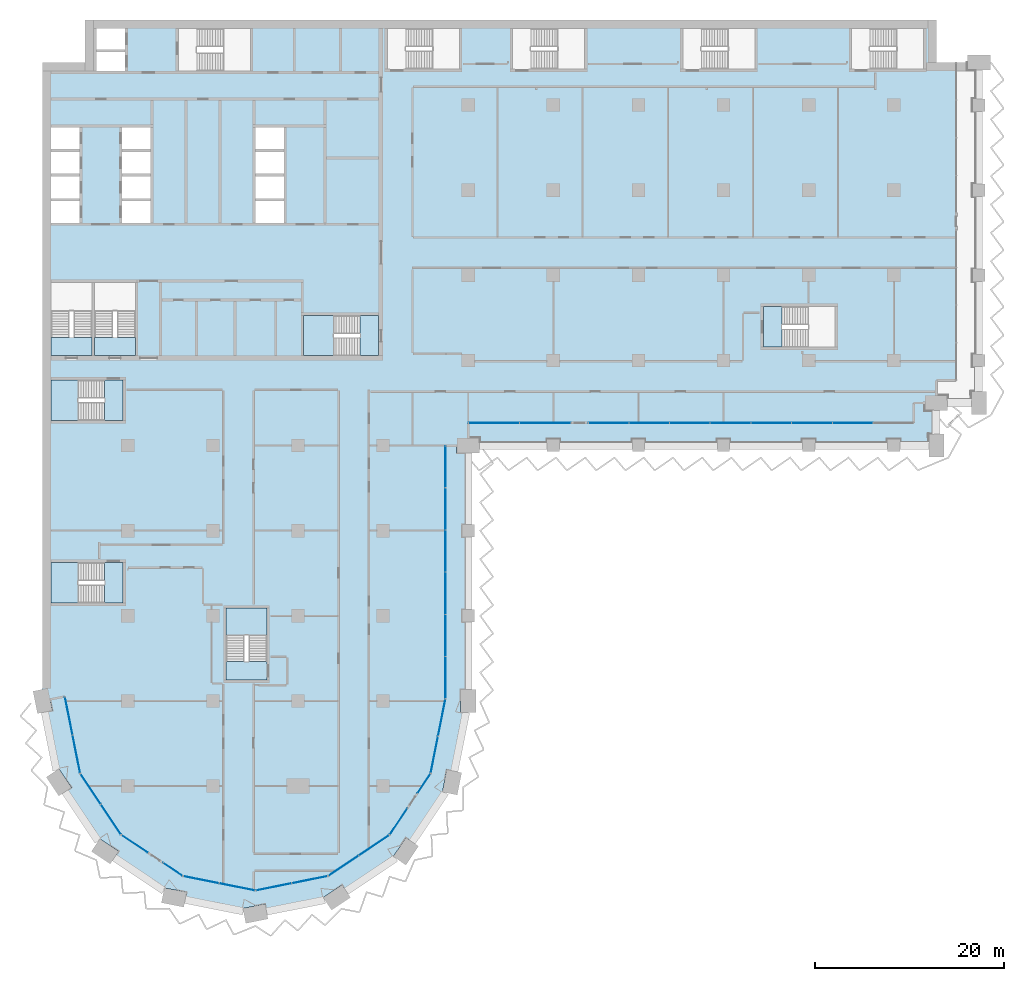
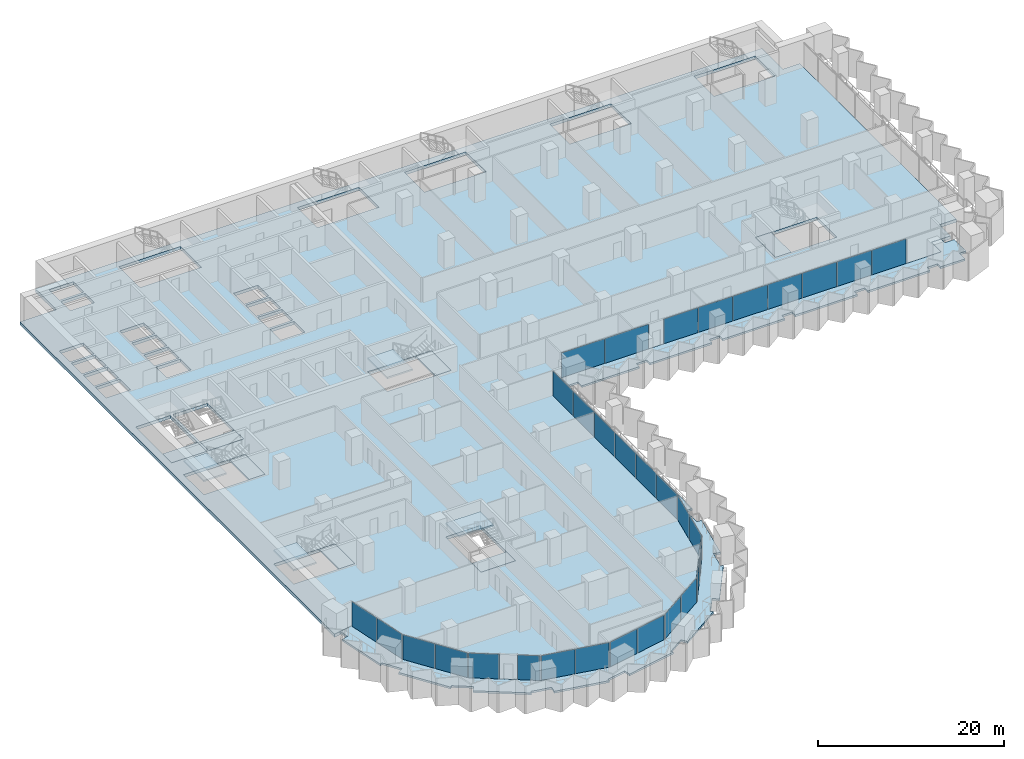
# One storey, part 8 of 29: 31 plates, 14 slabs, 17 elements without a shape of their own.
"""IFC4 building model written with IfcOpenShell, lengths in metres."""

from ifc_helpers import new_model, si_unit, direction, frame, origin, origin_2d, place, context, subcontext, project, spatial, polyline, rectangle, outline, extrude, material, layer, layer_set, type_object, element, aggregate, save


model = new_model("IFC4")

# Units and contexts
model_context = context("Model", 3, precision=1e-05, world=origin(), true_north=direction((0.0, 1.0)))
body_context = subcontext(model_context, "Body", "Model", "MODEL_VIEW")
ifc_project = project(units=[si_unit("LENGTHUNIT", "METRE"), si_unit("AREAUNIT", "SQUARE_METRE"), si_unit("VOLUMEUNIT", "CUBIC_METRE"), si_unit("PLANEANGLEUNIT", "RADIAN"), si_unit("MASSUNIT", "GRAM", prefix="KILO")], contexts=[model_context])

# Site, building, storey
site_placement = place(None, origin())
site = spatial("IfcSite", under=ifc_project, at=site_placement, CompositionType="ELEMENT")
building_placement = place(site_placement, origin())
building = spatial("IfcBuilding", under=site, at=building_placement, Name="Hunhe Ridgeline Campus", CompositionType="ELEMENT")
storey_placement = place(building_placement, frame((0.0, 0.0, 54.300048828125)))
storey = spatial("IfcBuildingStorey", under=building, at=storey_placement, Name="L12", CompositionType="ELEMENT", Elevation=54.300048828125)

# Curtain wall, plates
ifc_material_1 = material(Name="Aluminium 6063", Category="aluminium")
curtain_wall_type_1 = type_object("IfcCurtainWallType", Name="Curtain wall CW-5", PredefinedType="NOTDEFINED", material=ifc_material_1)
curtain_wall_1_placement = place(storey_placement, origin())
curtain_wall_1 = element("IfcCurtainWall", 1, at=curtain_wall_1_placement, inside=storey, type_object=curtain_wall_type_1, Name="Curtain wall 01", PredefinedType="NOTDEFINED")
ifc_material_2 = material(Name="Low-e laminated glass", Category="glass")
ifc_layer_1 = layer(ifc_material_2, 0.028076171875)
ifc_layer_set_1 = layer_set([ifc_layer_1], Name="Curtain wall glass panel 28 low-e laminated")
plate_type = type_object("IfcPlateType", Name="Curtain wall glass panel 28 low-e laminated", PredefinedType="CURTAIN_PANEL", material=ifc_layer_set_1)
plate_1_placement = place(storey_placement, frame((2.76318359375, 25.416015625, 0.0), z_axis=(0.0, 0.0, 1.0), x_axis=(0.195095347137, -0.980784280831, 0.0)))
plate_1 = element("IfcPlate", 2, at=plate_1_placement, type_object=plate_type, Name="CW-5 panel 1", PredefinedType="CURTAIN_PANEL", context=body_context, shape_type="SweptSolid", body=[
    extrude(rectangle(XDim=4.0458984375, YDim=0.028076171875, at=origin_2d()), origin(), (0.0, 0.0, 1.0), 3.22998046875),
])
plate_2_placement = place(storey_placement, frame((3.566162109375, 21.379150390625, 0.0), z_axis=(0.0, 0.0, 1.0), x_axis=(0.195095347137, -0.980784280831, 0.0)))
plate_2 = element("IfcPlate", 3, at=plate_2_placement, type_object=plate_type, Name="CW-5 panel 2", PredefinedType="CURTAIN_PANEL", context=body_context, shape_type="SweptSolid", body=[
    extrude(rectangle(XDim=4.0458984375, YDim=0.028076171875, at=origin_2d()), origin(), (0.0, 0.0, 1.0), 3.22998046875),
])
aggregate(curtain_wall_1, [plate_1, plate_2])

curtain_wall_2_placement = place(storey_placement, origin())
curtain_wall_2 = element("IfcCurtainWall", 4, at=curtain_wall_2_placement, inside=storey, type_object=curtain_wall_type_1, Name="Curtain wall 02", PredefinedType="NOTDEFINED")
plate_3_placement = place(storey_placement, frame((5.07080078125, 17.685546875, 0.0), z_axis=(0.0, 0.0, 1.0), x_axis=(0.555570274596, -0.831469584522, 0.0)))
plate_3 = element("IfcPlate", 5, at=plate_3_placement, type_object=plate_type, Name="CW-5 panel 1", PredefinedType="CURTAIN_PANEL", context=body_context, shape_type="SweptSolid", body=[
    extrude(rectangle(XDim=3.806884765625, YDim=0.028076171875, at=origin_2d()), origin(), (0.0, 0.0, 1.0), 3.22998046875),
])
plate_4_placement = place(storey_placement, frame((7.224609375, 14.4619140625, 0.0), z_axis=(0.0, 0.0, 1.0), x_axis=(0.555570274596, -0.831469584522, 0.0)))
plate_4 = element("IfcPlate", 6, at=plate_4_placement, type_object=plate_type, Name="CW-5 panel 2", PredefinedType="CURTAIN_PANEL", context=body_context, shape_type="SweptSolid", body=[
    extrude(rectangle(XDim=3.806884765625, YDim=0.028076171875, at=origin_2d()), origin(), (0.0, 0.0, 1.0), 3.22998046875),
])
aggregate(curtain_wall_2, [plate_3, plate_4])

# Curtain wall, plate
curtain_wall_3_placement = place(storey_placement, origin())
curtain_wall_3 = element("IfcCurtainWall", 7, at=curtain_wall_3_placement, inside=storey, type_object=curtain_wall_type_1, Name="Curtain wall 03", PredefinedType="NOTDEFINED")
plate_5_placement = place(storey_placement, frame((9.76025390625, 11.859375, 0.0), z_axis=(0.0, 0.0, 1.0), x_axis=(0.831469595944, -0.555570257501, 0.0)))
plate_5 = element("IfcPlate", 8, at=plate_5_placement, type_object=plate_type, Name="CW-5 panel 1", PredefinedType="CURTAIN_PANEL", context=body_context, shape_type="SweptSolid", body=[
    extrude(rectangle(XDim=3.322021484375, YDim=0.028076171875, at=origin_2d()), origin(), (0.0, 0.0, 1.0), 3.22998046875),
])
aggregate(curtain_wall_3, [plate_5])

curtain_wall_4_placement = place(storey_placement, origin())
curtain_wall_4 = element("IfcCurtainWall", 9, at=curtain_wall_4_placement, inside=storey, type_object=curtain_wall_type_1, Name="Curtain wall 04", PredefinedType="NOTDEFINED")
plate_6_placement = place(storey_placement, frame((13.761474609375, 9.18603515625, 0.0), z_axis=(0.0, 0.0, 1.0), x_axis=(0.831469510353, -0.555570385598, 0.0)))
plate_6 = element("IfcPlate", 10, at=plate_6_placement, type_object=plate_type, Name="CW-5 panel 1", PredefinedType="CURTAIN_PANEL", context=body_context, shape_type="SweptSolid", body=[
    extrude(rectangle(XDim=2.421875, YDim=0.028076171875, at=origin_2d()), origin(), (0.0, 0.0, 1.0), 3.22998046875),
])
aggregate(curtain_wall_4, [plate_6])

# Curtain wall, plates
curtain_wall_5_placement = place(storey_placement, origin())
curtain_wall_5 = element("IfcCurtainWall", 11, at=curtain_wall_5_placement, inside=storey, type_object=curtain_wall_type_1, Name="Curtain wall 05", PredefinedType="NOTDEFINED")
plate_7_placement = place(storey_placement, frame((16.761962890625, 8.08935546875, 0.0), z_axis=(0.0, 0.0, 1.0), x_axis=(0.980785275326, -0.195090347539, 0.0)))
plate_7 = element("IfcPlate", 12, at=plate_7_placement, type_object=plate_type, Name="CW-5 panel 1", PredefinedType="CURTAIN_PANEL", context=body_context, shape_type="SweptSolid", body=[
    extrude(rectangle(XDim=3.806884765625, YDim=0.028076171875, at=origin_2d()), origin(), (0.0, 0.0, 1.0), 3.22998046875),
])
plate_8_placement = place(storey_placement, frame((20.564453125, 7.3330078125, 0.0), z_axis=(0.0, 0.0, 1.0), x_axis=(0.980785275326, -0.195090347539, 0.0)))
plate_8 = element("IfcPlate", 13, at=plate_8_placement, type_object=plate_type, Name="CW-5 panel 2", PredefinedType="CURTAIN_PANEL", context=body_context, shape_type="SweptSolid", body=[
    extrude(rectangle(XDim=3.806884765625, YDim=0.028076171875, at=origin_2d()), origin(), (0.0, 0.0, 1.0), 3.22998046875),
])
aggregate(curtain_wall_5, [plate_7, plate_8])

curtain_wall_6_placement = place(storey_placement, origin())
curtain_wall_6 = element("IfcCurtainWall", 14, at=curtain_wall_6_placement, inside=storey, type_object=curtain_wall_type_1, Name="Curtain wall 06", PredefinedType="NOTDEFINED")
plate_9_placement = place(storey_placement, frame((24.435546875, 7.3330078125, 0.0), z_axis=(0.0, 0.0, 1.0), x_axis=(0.980785275326, 0.195090347539, 0.0)))
plate_9 = element("IfcPlate", 15, at=plate_9_placement, type_object=plate_type, Name="CW-5 panel 1", PredefinedType="CURTAIN_PANEL", context=body_context, shape_type="SweptSolid", body=[
    extrude(rectangle(XDim=3.806884765625, YDim=0.028076171875, at=origin_2d()), origin(), (0.0, 0.0, 1.0), 3.22998046875),
])
plate_10_placement = place(storey_placement, frame((28.238037109375, 8.08935546875, 0.0), z_axis=(0.0, 0.0, 1.0), x_axis=(0.980785275326, 0.195090347539, 0.0)))
plate_10 = element("IfcPlate", 16, at=plate_10_placement, type_object=plate_type, Name="CW-5 panel 2", PredefinedType="CURTAIN_PANEL", context=body_context, shape_type="SweptSolid", body=[
    extrude(rectangle(XDim=3.806884765625, YDim=0.028076171875, at=origin_2d()), origin(), (0.0, 0.0, 1.0), 3.22998046875),
])
aggregate(curtain_wall_6, [plate_9, plate_10])

curtain_wall_7_placement = place(storey_placement, origin())
curtain_wall_7 = element("IfcCurtainWall", 17, at=curtain_wall_7_placement, inside=storey, type_object=curtain_wall_type_1, Name="Curtain wall 07", PredefinedType="NOTDEFINED")
plate_11_placement = place(storey_placement, frame((31.814453125, 9.57080078125, 0.0), z_axis=(0.0, 0.0, 1.0), x_axis=(0.831469584522, 0.555570274596, 0.0)))
plate_11 = element("IfcPlate", 18, at=plate_11_placement, type_object=plate_type, Name="CW-5 panel 1", PredefinedType="CURTAIN_PANEL", context=body_context, shape_type="SweptSolid", body=[
    extrude(rectangle(XDim=3.806884765625, YDim=0.028076171875, at=origin_2d()), origin(), (0.0, 0.0, 1.0), 3.22998046875),
])
plate_12_placement = place(storey_placement, frame((35.0380859375, 11.724609375, 0.0), z_axis=(0.0, 0.0, 1.0), x_axis=(0.831469584522, 0.555570274596, 0.0)))
plate_12 = element("IfcPlate", 19, at=plate_12_placement, type_object=plate_type, Name="CW-5 panel 2", PredefinedType="CURTAIN_PANEL", context=body_context, shape_type="SweptSolid", body=[
    extrude(rectangle(XDim=3.806884765625, YDim=0.028076171875, at=origin_2d()), origin(), (0.0, 0.0, 1.0), 3.22998046875),
])
aggregate(curtain_wall_7, [plate_11, plate_12])

# Curtain wall, plate
curtain_wall_8_placement = place(storey_placement, origin())
curtain_wall_8 = element("IfcCurtainWall", 20, at=curtain_wall_8_placement, inside=storey, type_object=curtain_wall_type_1, Name="Curtain wall 08", PredefinedType="NOTDEFINED")
plate_13_placement = place(storey_placement, frame((37.640625, 14.26025390625, 0.0), z_axis=(0.0, 0.0, 1.0), x_axis=(0.555570257501, 0.831469595944, 0.0)))
plate_13 = element("IfcPlate", 21, at=plate_13_placement, type_object=plate_type, Name="CW-5 panel 1", PredefinedType="CURTAIN_PANEL", context=body_context, shape_type="SweptSolid", body=[
    extrude(rectangle(XDim=3.322021484375, YDim=0.028076171875, at=origin_2d()), origin(), (0.0, 0.0, 1.0), 3.22998046875),
])
aggregate(curtain_wall_8, [plate_13])

curtain_wall_9_placement = place(storey_placement, origin())
curtain_wall_9 = element("IfcCurtainWall", 22, at=curtain_wall_9_placement, inside=storey, type_object=curtain_wall_type_1, Name="Curtain wall 09", PredefinedType="NOTDEFINED")
plate_14_placement = place(storey_placement, frame((40.31396484375, 18.261474609375, 0.0), z_axis=(0.0, 0.0, 1.0), x_axis=(0.555570385598, 0.831469510353, 0.0)))
plate_14 = element("IfcPlate", 23, at=plate_14_placement, type_object=plate_type, Name="CW-5 panel 1", PredefinedType="CURTAIN_PANEL", context=body_context, shape_type="SweptSolid", body=[
    extrude(rectangle(XDim=2.421875, YDim=0.028076171875, at=origin_2d()), origin(), (0.0, 0.0, 1.0), 3.22998046875),
])
aggregate(curtain_wall_9, [plate_14])

# Curtain wall, plates
curtain_wall_10_placement = place(storey_placement, origin())
curtain_wall_10 = element("IfcCurtainWall", 24, at=curtain_wall_10_placement, inside=storey, type_object=curtain_wall_type_1, Name="Curtain wall 10", PredefinedType="NOTDEFINED")
plate_15_placement = place(storey_placement, frame((41.42236328125, 21.321044921875, 0.0), z_axis=(0.0, 0.0, 1.0), x_axis=(0.195090299215, 0.980785284939, 0.0)))
plate_15 = element("IfcPlate", 25, at=plate_15_placement, type_object=plate_type, Name="CW-5 panel 1", PredefinedType="CURTAIN_PANEL", context=body_context, shape_type="SweptSolid", body=[
    extrude(rectangle(XDim=3.927490234375, YDim=0.028076171875, at=origin_2d()), origin(), (0.0, 0.0, 1.0), 3.22998046875),
])
plate_16_placement = place(storey_placement, frame((42.2021484375, 25.24169921875, 0.0), z_axis=(0.0, 0.0, 1.0), x_axis=(0.195090299215, 0.980785284939, 0.0)))
plate_16 = element("IfcPlate", 26, at=plate_16_placement, type_object=plate_type, Name="CW-5 panel 2", PredefinedType="CURTAIN_PANEL", context=body_context, shape_type="SweptSolid", body=[
    extrude(rectangle(XDim=3.927490234375, YDim=0.028076171875, at=origin_2d()), origin(), (0.0, 0.0, 1.0), 3.22998046875),
])
aggregate(curtain_wall_10, [plate_15, plate_16])

curtain_wall_type_2 = type_object("IfcCurtainWallType", Name="Curtain wall CW-1", PredefinedType="NOTDEFINED", material=ifc_material_1)
curtain_wall_11_placement = place(storey_placement, origin())
curtain_wall_11 = element("IfcCurtainWall", 27, at=curtain_wall_11_placement, inside=storey, type_object=curtain_wall_type_2, Name="Curtain wall 11", PredefinedType="NOTDEFINED")
plate_17_placement = place(storey_placement, frame((42.59912109375, 29.481689453125, 0.0), z_axis=(0.0, 0.0, 1.0), x_axis=(1.8682e-07, 1.0, 0.0)))
plate_17 = element("IfcPlate", 28, at=plate_17_placement, type_object=plate_type, Name="CW-1 panel 1", PredefinedType="CURTAIN_PANEL", context=body_context, shape_type="SweptSolid", body=[
    extrude(rectangle(XDim=4.37060546875, YDim=0.028076171875, at=origin_2d()), origin(), (0.0, 0.0, 1.0), 3.239990234375),
])
plate_18_placement = place(storey_placement, frame((42.59912109375, 33.927490234375, 0.0), z_axis=(0.0, 0.0, 1.0), x_axis=(1.8682e-07, 1.0, 0.0)))
plate_18 = element("IfcPlate", 29, at=plate_18_placement, type_object=plate_type, Name="CW-1 panel 2", PredefinedType="CURTAIN_PANEL", context=body_context, shape_type="SweptSolid", body=[
    extrude(rectangle(XDim=4.400634765625, YDim=0.028076171875, at=origin_2d()), origin(), (0.0, 0.0, 1.0), 3.239990234375),
])
plate_19_placement = place(storey_placement, frame((42.59912109375, 38.387939453125, 0.0), z_axis=(0.0, 0.0, 1.0), x_axis=(1.8682e-07, 1.0, 0.0)))
plate_19 = element("IfcPlate", 30, at=plate_19_placement, type_object=plate_type, Name="CW-1 panel 3", PredefinedType="CURTAIN_PANEL", context=body_context, shape_type="SweptSolid", body=[
    extrude(rectangle(XDim=4.400634765625, YDim=0.028076171875, at=origin_2d()), origin(), (0.0, 0.0, 1.0), 3.239990234375),
])
plate_20_placement = place(storey_placement, frame((42.59912109375, 42.8486328125, 0.0), z_axis=(0.0, 0.0, 1.0), x_axis=(1.8682e-07, 1.0, 0.0)))
plate_20 = element("IfcPlate", 31, at=plate_20_placement, type_object=plate_type, Name="CW-1 panel 4", PredefinedType="CURTAIN_PANEL", context=body_context, shape_type="SweptSolid", body=[
    extrude(rectangle(XDim=4.400634765625, YDim=0.028076171875, at=origin_2d()), origin(), (0.0, 0.0, 1.0), 3.239990234375),
])
plate_21_placement = place(storey_placement, frame((42.59912109375, 47.30908203125, 0.0), z_axis=(0.0, 0.0, 1.0), x_axis=(1.8682e-07, 1.0, 0.0)))
plate_21 = element("IfcPlate", 32, at=plate_21_placement, type_object=plate_type, Name="CW-1 panel 5", PredefinedType="CURTAIN_PANEL", context=body_context, shape_type="SweptSolid", body=[
    extrude(rectangle(XDim=4.400634765625, YDim=0.028076171875, at=origin_2d()), origin(), (0.0, 0.0, 1.0), 3.239990234375),
])
plate_22_placement = place(storey_placement, frame((42.59912109375, 51.7548828125, 0.0), z_axis=(0.0, 0.0, 1.0), x_axis=(1.8682e-07, 1.0, 0.0)))
plate_22 = element("IfcPlate", 33, at=plate_22_placement, type_object=plate_type, Name="CW-1 panel 6", PredefinedType="CURTAIN_PANEL", context=body_context, shape_type="SweptSolid", body=[
    extrude(rectangle(XDim=4.37060546875, YDim=0.028076171875, at=origin_2d()), origin(), (0.0, 0.0, 1.0), 3.239990234375),
])
aggregate(curtain_wall_11, [plate_17, plate_18, plate_19, plate_20, plate_21, plate_22])

curtain_wall_12_placement = place(storey_placement, origin())
curtain_wall_12 = element("IfcCurtainWall", 34, at=curtain_wall_12_placement, inside=storey, type_object=curtain_wall_type_2, Name="Curtain wall 12", PredefinedType="NOTDEFINED")
plate_23_placement = place(storey_placement, frame((47.733154296875, 56.40087890625, 0.0), z_axis=(0.0, 0.0, 1.0), x_axis=(0.999999999994, 3.58625e-06, 0.0)))
plate_23 = element("IfcPlate", 35, at=plate_23_placement, type_object=plate_type, Name="CW-1 panel 1", PredefinedType="CURTAIN_PANEL", context=body_context, shape_type="SweptSolid", body=[
    extrude(rectangle(XDim=5.347412109375, YDim=0.028076171875, at=origin_2d()), origin(), (0.0, 0.0, 1.0), 3.239990234375),
])
plate_24_placement = place(storey_placement, frame((53.140625, 56.40087890625, 0.0), z_axis=(0.0, 0.0, 1.0), x_axis=(0.999999999994, 3.58625e-06, 0.0)))
plate_24 = element("IfcPlate", 36, at=plate_24_placement, type_object=plate_type, Name="CW-1 panel 2", PredefinedType="CURTAIN_PANEL", context=body_context, shape_type="SweptSolid", body=[
    extrude(rectangle(XDim=5.347412109375, YDim=0.028076171875, at=origin_2d()), origin(), (0.0, 0.0, 1.0), 3.239990234375),
])
aggregate(curtain_wall_12, [plate_23, plate_24])

curtain_wall_13_placement = place(storey_placement, origin())
curtain_wall_13 = element("IfcCurtainWall", 37, at=curtain_wall_13_placement, inside=storey, type_object=curtain_wall_type_2, Name="Curtain wall 13", PredefinedType="NOTDEFINED")
plate_25_placement = place(storey_placement, frame((59.8408203125, 56.40087890625, 0.0), z_axis=(0.0, 0.0, 1.0), x_axis=(0.999999999994, 3.602063e-06, 0.0)))
plate_25 = element("IfcPlate", 38, at=plate_25_placement, type_object=plate_type, Name="CW-1 panel 1", PredefinedType="CURTAIN_PANEL", context=body_context, shape_type="SweptSolid", body=[
    extrude(rectangle(XDim=4.213134765625, YDim=0.028076171875, at=origin_2d()), origin(), (0.0, 0.0, 1.0), 3.239990234375),
])
plate_26_placement = place(storey_placement, frame((64.12890625, 56.40087890625, 0.0), z_axis=(0.0, 0.0, 1.0), x_axis=(0.999999999994, 3.602063e-06, 0.0)))
plate_26 = element("IfcPlate", 39, at=plate_26_placement, type_object=plate_type, Name="CW-1 panel 2", PredefinedType="CURTAIN_PANEL", context=body_context, shape_type="SweptSolid", body=[
    extrude(rectangle(XDim=4.2431640625, YDim=0.028076171875, at=origin_2d()), origin(), (0.0, 0.0, 1.0), 3.239990234375),
])
plate_27_placement = place(storey_placement, frame((68.43212890625, 56.40087890625, 0.0), z_axis=(0.0, 0.0, 1.0), x_axis=(0.999999999994, 3.602063e-06, 0.0)))
plate_27 = element("IfcPlate", 40, at=plate_27_placement, type_object=plate_type, Name="CW-1 panel 3", PredefinedType="CURTAIN_PANEL", context=body_context, shape_type="SweptSolid", body=[
    extrude(rectangle(XDim=4.2431640625, YDim=0.028076171875, at=origin_2d()), origin(), (0.0, 0.0, 1.0), 3.239990234375),
])
plate_28_placement = place(storey_placement, frame((72.735107421875, 56.40087890625, 0.0), z_axis=(0.0, 0.0, 1.0), x_axis=(0.999999999994, 3.602063e-06, 0.0)))
plate_28 = element("IfcPlate", 41, at=plate_28_placement, type_object=plate_type, Name="CW-1 panel 4", PredefinedType="CURTAIN_PANEL", context=body_context, shape_type="SweptSolid", body=[
    extrude(rectangle(XDim=4.2431640625, YDim=0.028076171875, at=origin_2d()), origin(), (0.0, 0.0, 1.0), 3.239990234375),
])
plate_29_placement = place(storey_placement, frame((77.038330078125, 56.40087890625, 0.0), z_axis=(0.0, 0.0, 1.0), x_axis=(0.999999999994, 3.602063e-06, 0.0)))
plate_29 = element("IfcPlate", 42, at=plate_29_placement, type_object=plate_type, Name="CW-1 panel 5", PredefinedType="CURTAIN_PANEL", context=body_context, shape_type="SweptSolid", body=[
    extrude(rectangle(XDim=4.2431640625, YDim=0.028076171875, at=origin_2d()), origin(), (0.0, 0.0, 1.0), 3.239990234375),
])
plate_30_placement = place(storey_placement, frame((81.34130859375, 56.40087890625, 0.0), z_axis=(0.0, 0.0, 1.0), x_axis=(0.999999999994, 3.602063e-06, 0.0)))
plate_30 = element("IfcPlate", 43, at=plate_30_placement, type_object=plate_type, Name="CW-1 panel 6", PredefinedType="CURTAIN_PANEL", context=body_context, shape_type="SweptSolid", body=[
    extrude(rectangle(XDim=4.2431640625, YDim=0.028076171875, at=origin_2d()), origin(), (0.0, 0.0, 1.0), 3.239990234375),
])
plate_31_placement = place(storey_placement, frame((85.644287109375, 56.40087890625, 0.0), z_axis=(0.0, 0.0, 1.0), x_axis=(0.999999999994, 3.602063e-06, 0.0)))
plate_31 = element("IfcPlate", 44, at=plate_31_placement, type_object=plate_type, Name="CW-1 panel 7", PredefinedType="CURTAIN_PANEL", context=body_context, shape_type="SweptSolid", body=[
    extrude(rectangle(XDim=4.2431640625, YDim=0.028076171875, at=origin_2d()), origin(), (0.0, 0.0, 1.0), 3.239990234375),
])
aggregate(curtain_wall_13, [plate_25, plate_26, plate_27, plate_28, plate_29, plate_30, plate_31])

# Slabs
ifc_material_3 = material(Name="Concrete C40", Category="concrete")
ifc_layer_2 = layer(ifc_material_3, 0.39990234375)
ifc_layer_set_2 = layer_set([ifc_layer_2], Name="Floor slab 400 Concrete C40")
slab_type_1 = type_object("IfcSlabType", Name="Floor slab 400 Concrete C40", PredefinedType="FLOOR", material=ifc_layer_set_2)
slab_1_placement = place(storey_placement, frame((0.0, 0.0, -0.400146484375)))
element("IfcSlab", 45, at=slab_1_placement, inside=storey, type_object=slab_type_1, Name="Floor slab L12 1", PredefinedType="FLOOR", context=body_context, shape_type="SweptSolid", body=[
    extrude(outline(polyline([(4.5, 94.5), (0.0, 94.5), (0.0, 27.0009765625), (2.354736328125, 27.46875), (3.974365234375, 19.326416015625), (8.321044921875, 12.821044921875), (14.826416015625, 8.474365234375), (22.5, 6.947998046875), (30.173583984375, 8.474365234375), (36.678955078125, 12.821044921875), (41.025634765625, 19.326416015625), (42.59912109375, 27.236572265625), (42.59912109375, 54.0), (44.9990234375, 54.0009765625), (44.99951171875, 56.40087890625), (92.09912109375, 56.40087890625), (92.099365234375, 58.500732421875), (94.4990234375, 58.5009765625), (94.499267578125, 60.900634765625), (96.59912109375, 60.90087890625), (96.59912109375, 94.5), (94.5, 94.5), (94.5, 99.0), (4.5, 99.0), (4.5, 94.5)]), holes=[polyline([(93.14990234375, 93.800048828125), (93.14990234375, 98.10009765625), (85.550048828125, 98.10009765625), (85.550048828125, 93.800048828125), (93.14990234375, 93.800048828125)]), polyline([(76.199951171875, 68.699951171875), (76.199951171875, 64.39990234375), (83.800048828125, 64.39990234375), (83.800048828125, 68.699951171875), (76.199951171875, 68.699951171875)]), polyline([(75.300048828125, 98.10009765625), (67.699951171875, 98.10009765625), (67.699951171875, 93.800048828125), (75.300048828125, 93.800048828125), (75.300048828125, 98.10009765625)]), polyline([(49.699951171875, 98.10009765625), (49.699951171875, 93.800048828125), (57.300048828125, 93.800048828125), (57.300048828125, 98.10009765625), (49.699951171875, 98.10009765625)]), polyline([(36.449951171875, 93.800048828125), (44.050048828125, 93.800048828125), (44.050048828125, 98.10009765625), (36.449951171875, 98.10009765625), (36.449951171875, 93.800048828125)]), polyline([(35.5, 63.5), (35.5, 67.75), (27.60009765625, 67.75), (27.60009765625, 63.5), (35.5, 63.5)]), polyline([(25.5, 80.14990234375), (25.5, 82.449951171875), (22.5, 82.449951171875), (22.5, 80.14990234375), (25.5, 80.14990234375)]), polyline([(25.5, 79.85009765625), (22.5, 79.85009765625), (22.5, 77.550048828125), (25.5, 77.550048828125), (25.5, 79.85009765625)]), polyline([(22.5, 87.64990234375), (22.5, 85.35009765625), (25.5, 85.35009765625), (25.5, 87.64990234375), (22.5, 87.64990234375)]), polyline([(22.5, 82.75), (25.5, 82.75), (25.5, 85.050048828125), (22.5, 85.050048828125), (22.5, 82.75)]), polyline([(23.699951171875, 29.199951171875), (23.699951171875, 36.800048828125), (19.39990234375, 36.800048828125), (19.39990234375, 29.199951171875), (23.699951171875, 29.199951171875)]), polyline([(14.35009765625, 93.60009765625), (21.949951171875, 93.60009765625), (21.949951171875, 98.10009765625), (14.35009765625, 98.10009765625), (14.35009765625, 93.60009765625)]), polyline([(11.39990234375, 79.85009765625), (8.39990234375, 79.85009765625), (8.39990234375, 77.550048828125), (11.39990234375, 77.550048828125), (11.39990234375, 79.85009765625)]), polyline([(11.39990234375, 80.14990234375), (11.39990234375, 82.449951171875), (8.39990234375, 82.449951171875), (8.39990234375, 80.14990234375), (11.39990234375, 80.14990234375)]), polyline([(8.39990234375, 87.64990234375), (8.39990234375, 85.35009765625), (11.39990234375, 85.35009765625), (11.39990234375, 87.64990234375), (8.39990234375, 87.64990234375)]), polyline([(8.39990234375, 82.75), (11.39990234375, 82.75), (11.39990234375, 85.050048828125), (8.39990234375, 85.050048828125), (8.39990234375, 82.75)]), polyline([(9.800048828125, 71.25), (5.5, 71.25), (5.5, 63.5), (9.800048828125, 63.5), (9.800048828125, 71.25)]), polyline([(8.699951171875, 95.89990234375), (8.699951171875, 98.10009765625), (5.699951171875, 98.10009765625), (5.699951171875, 95.89990234375), (8.699951171875, 95.89990234375)]), polyline([(8.699951171875, 95.60009765625), (5.699951171875, 95.60009765625), (5.699951171875, 93.60009765625), (8.699951171875, 93.60009765625), (8.699951171875, 95.60009765625)]), polyline([(0.89990234375, 37.35009765625), (8.5, 37.35009765625), (8.5, 41.64990234375), (0.89990234375, 41.64990234375), (0.89990234375, 37.35009765625)]), polyline([(0.89990234375, 60.949951171875), (0.89990234375, 56.64990234375), (8.5, 56.64990234375), (8.5, 60.949951171875), (0.89990234375, 60.949951171875)]), polyline([(0.89990234375, 71.25), (0.89990234375, 63.5), (5.199951171875, 63.5), (5.199951171875, 71.25), (0.89990234375, 71.25)]), polyline([(3.89990234375, 80.14990234375), (3.89990234375, 82.449951171875), (0.89990234375, 82.449951171875), (0.89990234375, 80.14990234375), (3.89990234375, 80.14990234375)]), polyline([(3.89990234375, 79.85009765625), (0.89990234375, 79.85009765625), (0.89990234375, 77.550048828125), (3.89990234375, 77.550048828125), (3.89990234375, 79.85009765625)]), polyline([(0.89990234375, 87.64990234375), (0.89990234375, 85.35009765625), (3.89990234375, 85.35009765625), (3.89990234375, 87.64990234375), (0.89990234375, 87.64990234375)]), polyline([(0.89990234375, 82.75), (3.89990234375, 82.75), (3.89990234375, 85.050048828125), (0.89990234375, 85.050048828125), (0.89990234375, 82.75)])]), origin(), (0.0, 0.0, 1.0), 0.400146484375),
])
ifc_layer_3 = layer(ifc_material_3, 0.25)
ifc_layer_set_3 = layer_set([ifc_layer_3], Name="Loggia slab 250 Concrete C40")
slab_type_2 = type_object("IfcSlabType", Name="Loggia slab 250 Concrete C40", PredefinedType="FLOOR", material=ifc_layer_set_3)
slab_2_placement = place(storey_placement, frame((0.0, 0.0, -0.25)))
element("IfcSlab", 46, at=slab_2_placement, inside=storey, type_object=slab_type_2, Name="Loggia slab 1", PredefinedType="FLOOR", context=body_context, shape_type="SweptSolid", body=[
    extrude(outline(polyline([(30.173828125, 8.473388671875), (22.5, 6.947021484375), (14.826171875, 8.473388671875), (8.3203125, 12.8203125), (3.973388671875, 19.326171875), (2.35400390625, 27.46826171875), (0.78466796875, 27.156005859375), (1.018798828125, 25.979248046875), (0.234130859375, 25.822998046875), (1.459228515625, 19.66357421875), (1.711181640625, 19.831787109375), (3.044677734375, 17.83642578125), (2.37939453125, 17.391845703125), (5.868408203125, 12.170166015625), (6.036865234375, 12.421875), (8.0322265625, 11.088623046875), (7.587890625, 10.42333984375), (12.8095703125, 6.934326171875), (12.86865234375, 7.2314453125), (15.22265625, 6.76318359375), (15.066650390625, 5.978515625), (21.22607421875, 4.75341796875), (21.1669921875, 5.050537109375), (23.520751953125, 5.518798828125), (23.677001953125, 4.734130859375), (29.83642578125, 5.959228515625), (29.668212890625, 6.211181640625), (31.66357421875, 7.544677734375), (32.108154296875, 6.87939453125), (37.329833984375, 10.368408203125), (37.078125, 10.536865234375), (38.411376953125, 12.5322265625), (39.07666015625, 12.087890625), (42.565673828125, 17.3095703125), (42.2685546875, 17.36865234375), (42.73681640625, 19.72265625), (43.521484375, 19.566650390625), (44.76123046875, 25.800048828125), (44.199951171875, 25.800048828125), (44.199951171875, 28.199951171875), (45.0, 28.199951171875), (45.0, 35.35009765625), (44.35009765625, 35.35009765625), (44.35009765625, 36.64990234375), (45.0, 36.64990234375), (45.0, 44.35009765625), (44.35009765625, 44.35009765625), (44.35009765625, 45.64990234375), (45.0, 45.64990234375), (45.0, 53.199951171875), (43.800048828125, 53.199951171875), (43.800048828125, 54.0), (42.60009765625, 54.0), (42.60009765625, 27.236328125), (41.026611328125, 19.326171875), (36.6796875, 12.8203125), (30.173828125, 8.473388671875)])), origin(), (0.0, 0.0, 1.0), 0.25),
])
slab_3_placement = place(storey_placement, frame((0.0, 0.0, -0.25)))
element("IfcSlab", 47, at=slab_3_placement, inside=storey, type_object=slab_type_2, Name="Loggia slab 2", PredefinedType="FLOOR", context=body_context, shape_type="SweptSolid", body=[
    extrude(outline(polyline([(45.0, 54.800048828125), (46.199951171875, 54.800048828125), (46.199951171875, 54.0), (53.35009765625, 54.0), (53.35009765625, 54.64990234375), (54.64990234375, 54.64990234375), (54.64990234375, 54.0), (62.35009765625, 54.0), (62.35009765625, 54.64990234375), (63.64990234375, 54.64990234375), (63.64990234375, 54.0), (71.35009765625, 54.0), (71.35009765625, 54.64990234375), (72.64990234375, 54.64990234375), (72.64990234375, 54.0), (80.35009765625, 54.0), (80.35009765625, 54.64990234375), (81.64990234375, 54.64990234375), (81.64990234375, 54.0), (89.35009765625, 54.0), (89.35009765625, 54.64990234375), (90.64990234375, 54.64990234375), (90.64990234375, 54.0), (93.699951171875, 54.0), (93.699951171875, 55.199951171875), (94.5, 55.199951171875), (94.5, 57.699951171875), (93.300048828125, 57.699951171875), (93.300048828125, 58.5), (92.10009765625, 58.5), (92.10009765625, 56.39990234375), (45.0, 56.39990234375), (45.0, 54.800048828125)])), origin(), (0.0, 0.0, 1.0), 0.25),
])

# Stair, slab
stair_type = type_object("IfcStairType", Name="Reinforced concrete dog-leg stair 1950 Concrete C40", PredefinedType="HALF_TURN_STAIR", material=ifc_material_3)
stair_1_placement = place(storey_placement, origin())
stair_1 = element("IfcStair", 48, at=stair_1_placement, inside=storey, type_object=stair_type, Name="L12 S2", PredefinedType="HALF_TURN_STAIR")
ifc_layer_4 = layer(ifc_material_3, 0.199951171875)
ifc_layer_set_4 = layer_set([ifc_layer_4], Name="Reinforced concrete stair landing 200 Concrete C40")
slab_type_3 = type_object("IfcSlabType", Name="Reinforced concrete stair landing 200 Concrete C40", PredefinedType="LANDING", material=ifc_layer_set_4)
slab_4_placement = place(storey_placement, frame((0.0, 0.0, 1.64990234375)))
slab_4 = element("IfcSlab", 49, at=slab_4_placement, type_object=slab_type_3, Name="ST2 landing 1", PredefinedType="LANDING", context=body_context, shape_type="SweptSolid", body=[
    extrude(outline(polyline([(30.75, 67.75), (27.60009765625, 67.75), (27.60009765625, 63.5), (30.75, 63.5), (30.75, 67.75)])), origin(), (0.0, 0.0, 1.0), 0.199951171875),
])
aggregate(stair_1, [slab_4])

# Slabs
slab_5_placement = place(storey_placement, frame((0.0, 0.0, -0.199951171875)))
element("IfcSlab", 50, at=slab_5_placement, inside=storey, type_object=slab_type_3, Name="L12 stair S2 floor landing", PredefinedType="LANDING", context=body_context, shape_type="SweptSolid", body=[
    extrude(outline(polyline([(35.5, 67.75), (33.550048828125, 67.75), (33.550048828125, 63.5), (35.5, 63.5), (35.5, 67.75)])), origin(), (0.0, 0.0, 1.0), 0.199951171875),
])
slab_6_placement = place(storey_placement, frame((0.0, 0.0, -0.199951171875)))
element("IfcSlab", 51, at=slab_6_placement, inside=storey, type_object=slab_type_3, Name="L12 stair S3 floor landing", PredefinedType="LANDING", context=body_context, shape_type="SweptSolid", body=[
    extrude(outline(polyline([(5.199951171875, 63.5), (5.199951171875, 65.449951171875), (0.89990234375, 65.449951171875), (0.89990234375, 63.5), (5.199951171875, 63.5)])), origin(), (0.0, 0.0, 1.0), 0.199951171875),
])
slab_7_placement = place(storey_placement, frame((0.0, 0.0, -0.199951171875)))
element("IfcSlab", 52, at=slab_7_placement, inside=storey, type_object=slab_type_3, Name="L12 stair S4 floor landing", PredefinedType="LANDING", context=body_context, shape_type="SweptSolid", body=[
    extrude(outline(polyline([(9.800048828125, 63.5), (9.800048828125, 65.449951171875), (5.5, 65.449951171875), (5.5, 63.5), (9.800048828125, 63.5)])), origin(), (0.0, 0.0, 1.0), 0.199951171875),
])

# Stair, slab
stair_2_placement = place(storey_placement, origin())
stair_2 = element("IfcStair", 53, at=stair_2_placement, inside=storey, type_object=stair_type, Name="L12 W3", PredefinedType="HALF_TURN_STAIR")
slab_8_placement = place(storey_placement, frame((0.0, 0.0, 1.64990234375)))
slab_8 = element("IfcSlab", 54, at=slab_8_placement, type_object=slab_type_3, Name="ST9 landing 1", PredefinedType="LANDING", context=body_context, shape_type="SweptSolid", body=[
    extrude(outline(polyline([(23.699951171875, 33.949951171875), (23.699951171875, 36.800048828125), (19.39990234375, 36.800048828125), (19.39990234375, 33.949951171875), (23.699951171875, 33.949951171875)])), origin(), (0.0, 0.0, 1.0), 0.199951171875),
])
aggregate(stair_2, [slab_8])

# Slabs
slab_9_placement = place(storey_placement, frame((0.0, 0.0, -0.199951171875)))
element("IfcSlab", 55, at=slab_9_placement, inside=storey, type_object=slab_type_3, Name="L12 stair W3 floor landing", PredefinedType="LANDING", context=body_context, shape_type="SweptSolid", body=[
    extrude(outline(polyline([(23.699951171875, 29.199951171875), (23.699951171875, 31.14990234375), (19.39990234375, 31.14990234375), (19.39990234375, 29.199951171875), (23.699951171875, 29.199951171875)])), origin(), (0.0, 0.0, 1.0), 0.199951171875),
])
slab_10_placement = place(storey_placement, frame((0.0, 0.0, -0.199951171875)))
element("IfcSlab", 56, at=slab_10_placement, inside=storey, type_object=slab_type_3, Name="L12 stair E5 floor landing", PredefinedType="LANDING", context=body_context, shape_type="SweptSolid", body=[
    extrude(outline(polyline([(76.199951171875, 64.39990234375), (78.14990234375, 64.39990234375), (78.14990234375, 68.699951171875), (76.199951171875, 68.699951171875), (76.199951171875, 64.39990234375)])), origin(), (0.0, 0.0, 1.0), 0.199951171875),
])

# Stair, slab
stair_3_placement = place(storey_placement, origin())
stair_3 = element("IfcStair", 57, at=stair_3_placement, inside=storey, type_object=stair_type, Name="L12 W1", PredefinedType="HALF_TURN_STAIR")
slab_11_placement = place(storey_placement, frame((0.0, 0.0, 1.64990234375)))
slab_11 = element("IfcSlab", 58, at=slab_11_placement, type_object=slab_type_3, Name="ST11 landing 1", PredefinedType="LANDING", context=body_context, shape_type="SweptSolid", body=[
    extrude(outline(polyline([(3.75, 41.64990234375), (0.89990234375, 41.64990234375), (0.89990234375, 37.35009765625), (3.75, 37.35009765625), (3.75, 41.64990234375)])), origin(), (0.0, 0.0, 1.0), 0.199951171875),
])
aggregate(stair_3, [slab_11])

# Slab
slab_12_placement = place(storey_placement, frame((0.0, 0.0, -0.199951171875)))
element("IfcSlab", 59, at=slab_12_placement, inside=storey, type_object=slab_type_3, Name="L12 stair W1 floor landing", PredefinedType="LANDING", context=body_context, shape_type="SweptSolid", body=[
    extrude(outline(polyline([(8.5, 41.64990234375), (6.550048828125, 41.64990234375), (6.550048828125, 37.35009765625), (8.5, 37.35009765625), (8.5, 41.64990234375)])), origin(), (0.0, 0.0, 1.0), 0.199951171875),
])

# Stair, slab
stair_4_placement = place(storey_placement, origin())
stair_4 = element("IfcStair", 60, at=stair_4_placement, inside=storey, type_object=stair_type, Name="L12 W2", PredefinedType="HALF_TURN_STAIR")
slab_13_placement = place(storey_placement, frame((0.0, 0.0, 1.64990234375)))
slab_13 = element("IfcSlab", 61, at=slab_13_placement, type_object=slab_type_3, Name="ST12 landing 1", PredefinedType="LANDING", context=body_context, shape_type="SweptSolid", body=[
    extrude(outline(polyline([(3.75, 60.949951171875), (0.89990234375, 60.949951171875), (0.89990234375, 56.64990234375), (3.75, 56.64990234375), (3.75, 60.949951171875)])), origin(), (0.0, 0.0, 1.0), 0.199951171875),
])
aggregate(stair_4, [slab_13])

# Slab
slab_14_placement = place(storey_placement, frame((0.0, 0.0, -0.199951171875)))
element("IfcSlab", 62, at=slab_14_placement, inside=storey, type_object=slab_type_3, Name="L12 stair W2 floor landing", PredefinedType="LANDING", context=body_context, shape_type="SweptSolid", body=[
    extrude(outline(polyline([(8.5, 60.949951171875), (6.550048828125, 60.949951171875), (6.550048828125, 56.64990234375), (8.5, 56.64990234375), (8.5, 60.949951171875)])), origin(), (0.0, 0.0, 1.0), 0.199951171875),
])

save(model, "model.ifc")
